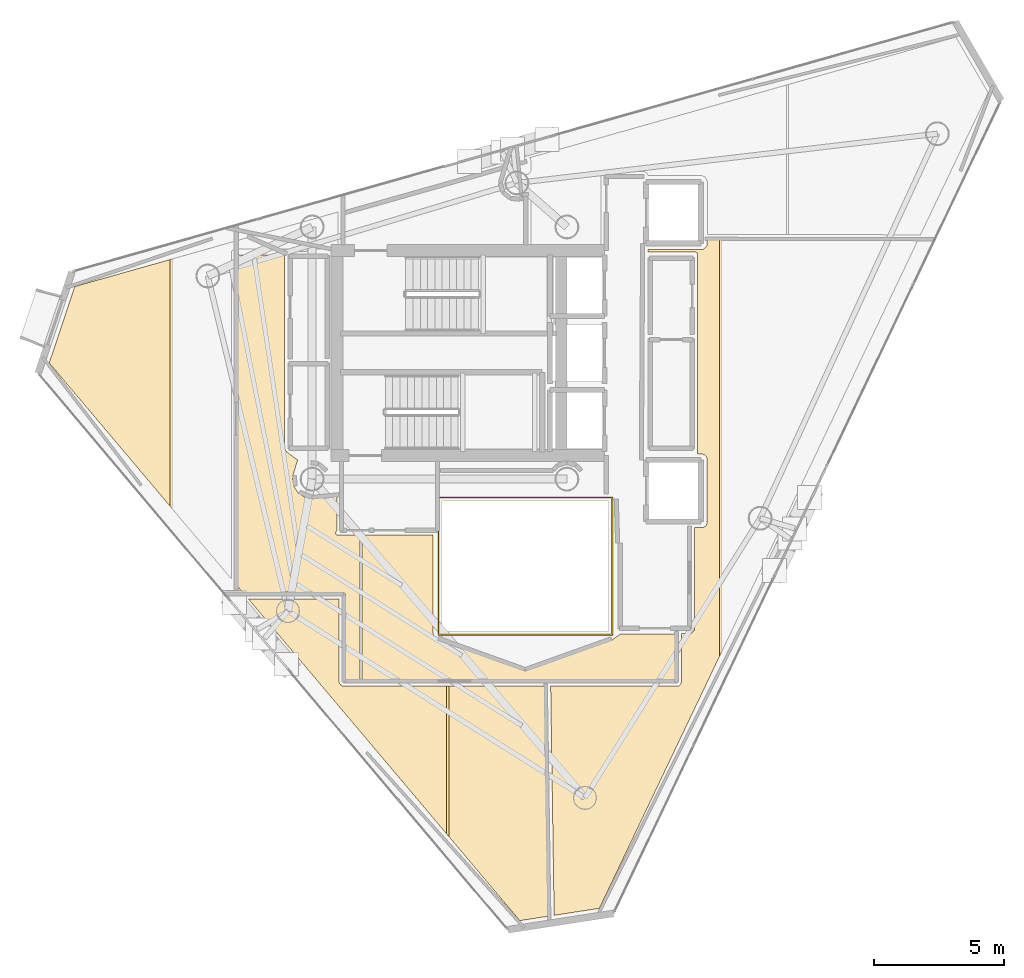
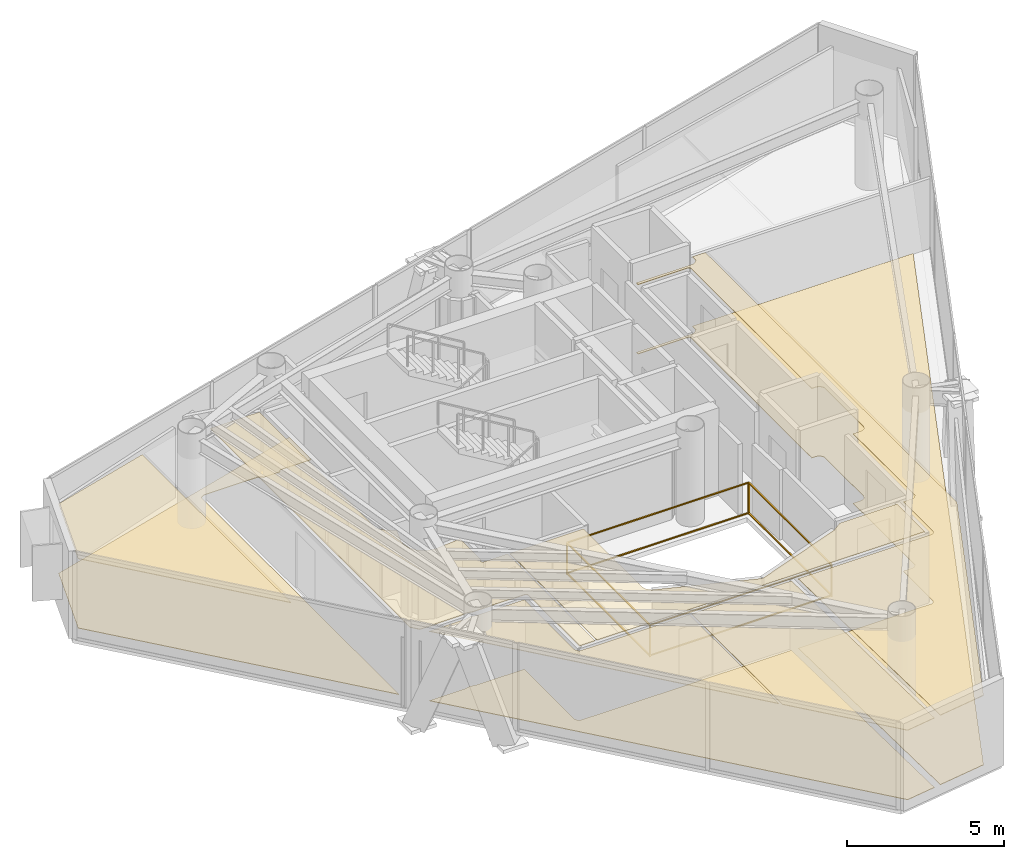
# One storey, part 19 of 20: 9 coverings, 1 railing.
"""IFC4 building model written with IfcOpenShell, lengths in metres."""

from ifc_helpers import new_model, si_unit, direction, frame, origin, origin_2d, place, context, subcontext, project, spatial, polyline, rectangle, outline, extrude, material, layer, layer_set, type_object, element, save


model = new_model("IFC4")

# Units and contexts
model_context = context("Model", 3, precision=1e-05, world=origin(), true_north=direction((0.0, 1.0)))
body_context = subcontext(model_context, "Body", "Model", "MODEL_VIEW")
ifc_project = project(units=[si_unit("LENGTHUNIT", "METRE"), si_unit("AREAUNIT", "SQUARE_METRE"), si_unit("VOLUMEUNIT", "CUBIC_METRE"), si_unit("PLANEANGLEUNIT", "RADIAN"), si_unit("MASSUNIT", "GRAM", prefix="KILO")], contexts=[model_context])

# Site, building, storey
site_placement = place(None, origin())
site = spatial("IfcSite", under=ifc_project, at=site_placement, CompositionType="ELEMENT")
building_placement = place(site_placement, origin())
building = spatial("IfcBuilding", under=site, at=building_placement, Name="Qianvela Tower", CompositionType="ELEMENT")
storey_placement = place(building_placement, frame((0.0, 0.0, 317.60009765625)))
storey = spatial("IfcBuildingStorey", under=building, at=storey_placement, Name="L82", CompositionType="ELEMENT", Elevation=317.60009765625)

# Coverings
ifc_material_1 = material(Name="Perforated Mineral Acoustic Ceiling Tile")
ifc_layer_1 = layer(ifc_material_1, 0.02490234375)
ifc_layer_set_1 = layer_set([ifc_layer_1], Name="Perforated Mineral Acoustic Ceiling Tile")
covering_type_1 = type_object("IfcCoveringType", Name="COV-CEIL-ACOUSTIC-25", PredefinedType="CEILING", material=ifc_layer_set_1)
covering_1_placement = place(storey_placement, frame((0.0, 0.0, 2.69482421875)))
element("IfcCovering", 1, at=covering_1_placement, inside=storey, type_object=covering_type_1, Name="L82 Acoustic Ceiling Bay 1 L82 Floor Corridor", PredefinedType="CEILING", context=body_context, shape_type="SweptSolid", body=[
    extrude(outline(polyline([(27.5400390625, 32.469970703125), (27.5400390625, 25.04638671875), (27.540283203125, 25.038818359375), (27.54150390625, 25.03125), (27.543212890625, 25.023681640625), (27.545654296875, 25.0166015625), (27.548828125, 25.009765625), (27.552734375, 25.003173828125), (27.61328125, 24.90869140625), (27.61767578125, 24.90283203125), (27.622314453125, 24.8974609375), (27.62744140625, 24.892333984375), (27.633056640625, 24.8876953125), (28.042236328125, 24.584228515625), (27.8662109375, 24.00390625), (27.864501953125, 23.996337890625), (27.86328125, 23.988525390625), (27.850341796875, 23.85791015625), (27.85009765625, 23.85009765625), (27.850341796875, 23.84228515625), (27.8515625, 23.83447265625), (27.902587890625, 23.577880859375), (27.904296875, 23.5703125), (27.906982421875, 23.56298828125), (27.910400390625, 23.555908203125), (27.91455078125, 23.54931640625), (28.059814453125, 23.331787109375), (28.064453125, 23.325439453125), (28.069580078125, 23.319580078125), (28.075439453125, 23.314453125), (28.081787109375, 23.309814453125), (28.29931640625, 23.16455078125), (28.305908203125, 23.160400390625), (28.31298828125, 23.156982421875), (28.3203125, 23.154296875), (28.327880859375, 23.152587890625), (28.58447265625, 23.1015625), (28.59228515625, 23.100341796875), (28.60009765625, 23.10009765625), (28.60791015625, 23.100341796875), (29.55810546875, 23.194091796875), (29.55810546875, 21.877685546875), (29.52001953125, 21.82958984375), (29.515380859375, 21.822998046875), (29.51171875, 21.81640625), (29.508544921875, 21.809326171875), (29.506103515625, 21.802001953125), (29.504150390625, 21.794189453125), (29.503173828125, 21.78662109375), (29.5029296875, 21.77880859375), (29.50341796875, 21.77099609375), (29.504638671875, 21.763427734375), (29.506591796875, 21.755859375), (29.50927734375, 21.74853515625), (29.5126953125, 21.74169921875), (29.516845703125, 21.735107421875), (29.521484375, 21.728759765625), (29.52685546875, 21.722900390625), (29.53271484375, 21.7177734375), (29.538818359375, 21.713134765625), (29.54541015625, 21.709228515625), (29.552490234375, 21.7060546875), (29.559814453125, 21.703369140625), (29.5673828125, 21.701416015625), (29.5751953125, 21.700439453125), (29.5830078125, 21.699951171875), (30.4453125, 21.699951171875), (30.4453125, 16.1298828125), (29.8798828125, 16.1298828125), (29.8798828125, 19.39990234375), (29.879638671875, 19.40771484375), (29.87841796875, 19.41552734375), (29.876708984375, 19.423095703125), (29.873779296875, 19.4306640625), (29.87060546875, 19.437744140625), (29.866455078125, 19.4443359375), (29.86181640625, 19.45068359375), (29.856689453125, 19.45654296875), (29.850830078125, 19.4619140625), (29.844482421875, 19.466552734375), (29.837646484375, 19.470703125), (29.83056640625, 19.473876953125), (29.8232421875, 19.4765625), (29.815673828125, 19.478515625), (29.807861328125, 19.4794921875), (29.800048828125, 19.47998046875), (27.910888671875, 19.47998046875), (27.684814453125, 19.522705078125), (27.677490234375, 19.523681640625), (27.669921875, 19.52392578125), (27.66259765625, 19.523681640625), (27.6552734375, 19.522705078125), (27.42919921875, 19.47998046875), (25.944091796875, 19.47998046875), (25.72998046875, 19.733642578125), (25.72998046875, 32.469970703125), (27.5400390625, 32.469970703125)])), origin(), (0.0, 0.0, 1.0), 0.025146484375),
])
covering_2_placement = place(storey_placement, frame((0.0, 0.0, 2.69482421875)))
element("IfcCovering", 2, at=covering_2_placement, inside=storey, type_object=covering_type_1, Name="L82 Acoustic Ceiling Bay 2 L82 Floor Corridor", PredefinedType="CEILING", context=body_context, shape_type="SweptSolid", body=[
    extrude(outline(polyline([(33.239990234375, 21.699951171875), (33.239990234375, 18.0), (33.240478515625, 17.990234375), (33.242431640625, 17.980712890625), (33.275390625, 17.8486328125), (33.277587890625, 17.841796875), (33.2802734375, 17.8349609375), (33.283447265625, 17.82861328125), (33.287353515625, 17.822509765625), (33.29150390625, 17.81689453125), (33.29638671875, 17.811279296875), (33.411376953125, 17.696533203125), (33.41796875, 17.690673828125), (33.42529296875, 17.685546875), (33.432861328125, 17.68115234375), (33.44091796875, 17.677734375), (36.77294921875, 16.482666015625), (36.780517578125, 16.48046875), (36.7880859375, 16.47900390625), (36.7958984375, 16.47802734375), (36.803955078125, 16.47802734375), (36.811767578125, 16.47900390625), (36.8193359375, 16.48046875), (36.826904296875, 16.482666015625), (40.134033203125, 17.666015625), (40.140869140625, 17.668701171875), (40.1474609375, 17.672119140625), (40.153564453125, 17.676025390625), (40.458740234375, 17.89306640625), (42.570068359375, 17.899658203125), (42.570068359375, 16.1298828125), (30.525146484375, 16.1298828125), (30.525146484375, 21.699951171875), (33.239990234375, 21.699951171875)])), origin(), (0.0, 0.0, 1.0), 0.025146484375),
])
covering_3_placement = place(storey_placement, frame((0.0, 0.0, 2.69482421875)))
element("IfcCovering", 3, at=covering_3_placement, inside=storey, type_object=covering_type_1, Name="L82 Acoustic Ceiling Bay 1 Tutorial Breakout Seminar L82-01", PredefinedType="CEILING", context=body_context, shape_type="SweptSolid", body=[
    extrude(outline(polyline([(26.146484375, 19.239990234375), (27.436767578125, 19.239990234375), (27.44384765625, 19.240234375), (27.450927734375, 19.2412109375), (27.669921875, 19.28125), (27.888916015625, 19.2412109375), (27.89599609375, 19.240234375), (27.9033203125, 19.239990234375), (29.639892578125, 19.239990234375), (29.639892578125, 16.050048828125), (29.640380859375, 16.042724609375), (29.641357421875, 16.035400390625), (29.64306640625, 16.0283203125), (29.645263671875, 16.021484375), (29.648193359375, 16.014892578125), (29.651611328125, 16.00830078125), (29.65576171875, 16.002197265625), (29.71240234375, 15.92578125), (29.7177734375, 15.91943359375), (29.7236328125, 15.91357421875), (29.730224609375, 15.908447265625), (29.737060546875, 15.904052734375), (29.744384765625, 15.900146484375), (29.752197265625, 15.897216796875), (29.76025390625, 15.895263671875), (29.7685546875, 15.893798828125), (29.776611328125, 15.893310546875), (33.777587890625, 15.8916015625), (33.777587890625, 10.197265625), (26.146484375, 19.239990234375)])), origin(), (0.0, 0.0, 1.0), 0.025146484375),
])
covering_4_placement = place(storey_placement, frame((0.0, 0.0, 2.69482421875)))
element("IfcCovering", 4, at=covering_4_placement, inside=storey, type_object=covering_type_1, Name="L82 Acoustic Ceiling Bay 2 Tutorial Breakout Seminar L82-01", PredefinedType="CEILING", context=body_context, shape_type="SweptSolid", body=[
    extrude(outline(polyline([(36.588134765625, 6.86669921875), (33.857666015625, 10.102294921875), (33.857666015625, 15.8916015625), (37.53125, 15.889892578125), (37.665283203125, 7.032958984375), (36.588134765625, 6.86669921875)])), origin(), (0.0, 0.0, 1.0), 0.025146484375),
])
covering_5_placement = place(storey_placement, frame((0.0, 0.0, 2.69482421875)))
element("IfcCovering", 5, at=covering_5_placement, inside=storey, type_object=covering_type_1, Name="L82 Acoustic Ceiling Bay 1 Project Huddle Conference L82-02", PredefinedType="CEILING", context=body_context, shape_type="SweptSolid", body=[
    extrude(outline(polyline([(42.6806640625, 15.89599609375), (42.6884765625, 15.896484375), (42.6962890625, 15.897705078125), (42.703857421875, 15.899658203125), (42.711181640625, 15.902099609375), (42.718505859375, 15.905517578125), (42.72509765625, 15.90966796875), (42.7314453125, 15.914306640625), (42.7373046875, 15.91943359375), (42.742431640625, 15.92529296875), (42.7470703125, 15.931640625), (42.79638671875, 16.005615234375), (42.800537109375, 16.01220703125), (42.803955078125, 16.019287109375), (42.806640625, 16.02685546875), (42.80859375, 16.034423828125), (42.8095703125, 16.042236328125), (42.81005859375, 16.050048828125), (42.8076171875, 17.920166015625), (43.157958984375, 17.92041015625), (43.165771484375, 17.9208984375), (43.173583984375, 17.921875), (43.18115234375, 17.923828125), (43.1884765625, 17.926513671875), (43.195556640625, 17.9296875), (43.202392578125, 17.933837890625), (43.20849609375, 17.938720703125), (43.21435546875, 17.94384765625), (43.2861328125, 18.015625), (43.29150390625, 18.021484375), (43.296142578125, 18.027587890625), (43.30029296875, 18.034423828125), (43.303466796875, 18.04150390625), (43.30615234375, 18.048828125), (43.30810546875, 18.056640625), (43.30908203125, 18.064208984375), (43.3095703125, 18.072265625), (43.309326171875, 21.980712890625), (43.60791015625, 21.982666015625), (43.615478515625, 21.983154296875), (43.623291015625, 21.984375), (43.630859375, 21.986083984375), (43.637939453125, 21.98876953125), (43.64501953125, 21.9921875), (43.716796875, 22.030517578125), (43.723388671875, 22.034423828125), (43.729736328125, 22.039306640625), (43.735595703125, 22.04443359375), (43.74072265625, 22.05029296875), (43.74560546875, 22.056640625), (43.74951171875, 22.063232421875), (43.787841796875, 22.135009765625), (43.791259765625, 22.14208984375), (43.7939453125, 22.1494140625), (43.7958984375, 22.156982421875), (43.796875, 22.164794921875), (43.79736328125, 22.1728515625), (43.7939453125, 24.640625), (43.79345703125, 24.649169921875), (43.792236328125, 24.65771484375), (43.789794921875, 24.665771484375), (43.786865234375, 24.673583984375), (43.782958984375, 24.68115234375), (43.7783203125, 24.688232421875), (43.721923828125, 24.76416015625), (43.71728515625, 24.769775390625), (43.71240234375, 24.77490234375), (43.706787109375, 24.779541015625), (43.70068359375, 24.78369140625), (43.694580078125, 24.78759765625), (43.68798828125, 24.79052734375), (43.680908203125, 24.79296875), (43.603271484375, 24.816650390625), (43.595703125, 24.818603515625), (43.587890625, 24.819580078125), (43.580078125, 24.820068359375), (43.424072265625, 24.820068359375), (43.426513671875, 24.826904296875), (43.428466796875, 24.83447265625), (43.4296875, 24.84228515625), (43.429931640625, 24.85009765625), (43.429931640625, 32.5), (43.4296875, 32.5078125), (43.428466796875, 32.515625), (43.426513671875, 32.523193359375), (43.423828125, 32.530517578125), (43.420654296875, 32.53759765625), (43.41650390625, 32.54443359375), (43.411865234375, 32.55078125), (43.406494140625, 32.556640625), (43.40087890625, 32.561767578125), (43.394287109375, 32.56640625), (43.3876953125, 32.570556640625), (43.380615234375, 32.573974609375), (43.373291015625, 32.57666015625), (43.365478515625, 32.57861328125), (43.35791015625, 32.57958984375), (43.35009765625, 32.580078125), (41.52001953125, 32.580078125), (41.52001953125, 32.68017578125), (43.607421875, 32.6826171875), (43.61572265625, 32.68310546875), (43.6240234375, 32.6845703125), (43.632080078125, 32.686767578125), (43.639892578125, 32.689697265625), (43.6474609375, 32.693603515625), (43.654541015625, 32.697998046875), (43.660888671875, 32.703369140625), (43.767578125, 32.800048828125), (43.7734375, 32.805908203125), (43.778564453125, 32.81201171875), (43.782958984375, 32.81884765625), (43.78662109375, 32.826171875), (43.789794921875, 32.833740234375), (43.7919921875, 32.841552734375), (43.79345703125, 32.849609375), (43.7939453125, 32.857666015625), (43.798095703125, 33.046875), (44.266357421875, 33.0458984375), (44.266357421875, 17.0244140625), (39.6494140625, 7.339111328125), (37.90869140625, 7.0703125), (37.775146484375, 15.89013671875), (42.6806640625, 15.89599609375)])), origin(), (0.0, 0.0, 1.0), 0.025146484375),
])
covering_6_placement = place(storey_placement, frame((0.0, 0.0, 2.69482421875)))
element("IfcCovering", 6, at=covering_6_placement, inside=storey, type_object=covering_type_1, Name="L82 Acoustic Ceiling Bay 1 Social Sitting Lounge L82-03", PredefinedType="CEILING", context=body_context, shape_type="SweptSolid", body=[
    extrude(outline(polyline([(18.485595703125, 28.318359375), (19.466064453125, 31.256591796875), (23.133056640625, 32.294677734375), (23.133056640625, 22.811279296875), (18.485595703125, 28.318359375)])), origin(), (0.0, 0.0, 1.0), 0.025146484375),
])
ifc_material_2 = material(Name="Engineered Acoustic Oak Timber Flooring", Category="wood")
ifc_layer_2 = layer(ifc_material_2, 0.02001953125)
ifc_layer_set_2 = layer_set([ifc_layer_2], Name="Engineered Acoustic Oak Timber Flooring")
covering_type_2 = type_object("IfcCoveringType", Name="COV-FLOOR-OAK-20", PredefinedType="FLOORING", material=ifc_layer_set_2)
covering_7_placement = place(storey_placement, origin())
element("IfcCovering", 7, at=covering_7_placement, inside=storey, type_object=covering_type_2, Name="L82 Finish Flooring Tutorial Breakout Seminar L82-01", PredefinedType="FLOORING", context=body_context, shape_type="SweptSolid", body=[
    extrude(outline(polyline([(37.665283203125, 7.032958984375), (36.588134765625, 6.86669921875), (26.146484375, 19.239990234375), (27.436767578125, 19.239990234375), (27.44384765625, 19.240234375), (27.450927734375, 19.2412109375), (27.669921875, 19.28125), (27.888916015625, 19.2412109375), (27.89599609375, 19.240234375), (27.9033203125, 19.239990234375), (29.639892578125, 19.239990234375), (29.639892578125, 16.050048828125), (29.640380859375, 16.042724609375), (29.641357421875, 16.035400390625), (29.64306640625, 16.0283203125), (29.645263671875, 16.021484375), (29.648193359375, 16.014892578125), (29.651611328125, 16.00830078125), (29.65576171875, 16.002197265625), (29.71240234375, 15.92578125), (29.7177734375, 15.91943359375), (29.7236328125, 15.91357421875), (29.730224609375, 15.908447265625), (29.737060546875, 15.904052734375), (29.744384765625, 15.900146484375), (29.752197265625, 15.897216796875), (29.76025390625, 15.895263671875), (29.7685546875, 15.893798828125), (29.776611328125, 15.893310546875), (37.53125, 15.889892578125), (37.665283203125, 7.032958984375)])), origin(), (0.0, 0.0, 1.0), 0.02001953125),
])
covering_8_placement = place(storey_placement, origin())
element("IfcCovering", 8, at=covering_8_placement, inside=storey, type_object=covering_type_2, Name="L82 Finish Flooring Project Huddle Conference L82-02", PredefinedType="FLOORING", context=body_context, shape_type="SweptSolid", body=[
    extrude(outline(polyline([(37.775146484375, 15.89013671875), (42.6806640625, 15.89599609375), (42.6884765625, 15.896484375), (42.6962890625, 15.897705078125), (42.703857421875, 15.899658203125), (42.711181640625, 15.902099609375), (42.718505859375, 15.905517578125), (42.72509765625, 15.90966796875), (42.7314453125, 15.914306640625), (42.7373046875, 15.91943359375), (42.742431640625, 15.92529296875), (42.7470703125, 15.931640625), (42.79638671875, 16.005615234375), (42.800537109375, 16.01220703125), (42.803955078125, 16.019287109375), (42.806640625, 16.02685546875), (42.80859375, 16.034423828125), (42.8095703125, 16.042236328125), (42.81005859375, 16.050048828125), (42.8076171875, 17.920166015625), (43.157958984375, 17.92041015625), (43.165771484375, 17.9208984375), (43.173583984375, 17.921875), (43.18115234375, 17.923828125), (43.1884765625, 17.926513671875), (43.195556640625, 17.9296875), (43.202392578125, 17.933837890625), (43.20849609375, 17.938720703125), (43.21435546875, 17.94384765625), (43.2861328125, 18.015625), (43.29150390625, 18.021484375), (43.296142578125, 18.027587890625), (43.30029296875, 18.034423828125), (43.303466796875, 18.04150390625), (43.30615234375, 18.048828125), (43.30810546875, 18.056640625), (43.30908203125, 18.064208984375), (43.3095703125, 18.072265625), (43.309326171875, 21.980712890625), (43.60791015625, 21.982666015625), (43.615478515625, 21.983154296875), (43.623291015625, 21.984375), (43.630859375, 21.986083984375), (43.637939453125, 21.98876953125), (43.64501953125, 21.9921875), (43.716796875, 22.030517578125), (43.723388671875, 22.034423828125), (43.729736328125, 22.039306640625), (43.735595703125, 22.04443359375), (43.74072265625, 22.05029296875), (43.74560546875, 22.056640625), (43.74951171875, 22.063232421875), (43.787841796875, 22.135009765625), (43.791259765625, 22.14208984375), (43.7939453125, 22.1494140625), (43.7958984375, 22.156982421875), (43.796875, 22.164794921875), (43.79736328125, 22.1728515625), (43.7939453125, 24.640625), (43.79345703125, 24.649169921875), (43.792236328125, 24.65771484375), (43.789794921875, 24.665771484375), (43.786865234375, 24.673583984375), (43.782958984375, 24.68115234375), (43.7783203125, 24.688232421875), (43.721923828125, 24.76416015625), (43.71728515625, 24.769775390625), (43.71240234375, 24.77490234375), (43.706787109375, 24.779541015625), (43.70068359375, 24.78369140625), (43.694580078125, 24.78759765625), (43.68798828125, 24.79052734375), (43.680908203125, 24.79296875), (43.603271484375, 24.816650390625), (43.595703125, 24.818603515625), (43.587890625, 24.819580078125), (43.580078125, 24.820068359375), (43.424072265625, 24.820068359375), (43.426513671875, 24.826904296875), (43.428466796875, 24.83447265625), (43.4296875, 24.84228515625), (43.429931640625, 24.85009765625), (43.429931640625, 32.5), (43.4296875, 32.5078125), (43.428466796875, 32.515625), (43.426513671875, 32.523193359375), (43.423828125, 32.530517578125), (43.420654296875, 32.53759765625), (43.41650390625, 32.54443359375), (43.411865234375, 32.55078125), (43.406494140625, 32.556640625), (43.40087890625, 32.561767578125), (43.394287109375, 32.56640625), (43.3876953125, 32.570556640625), (43.380615234375, 32.573974609375), (43.373291015625, 32.57666015625), (43.365478515625, 32.57861328125), (43.35791015625, 32.57958984375), (43.35009765625, 32.580078125), (41.52001953125, 32.580078125), (41.52001953125, 32.68017578125), (43.607421875, 32.6826171875), (43.61572265625, 32.68310546875), (43.6240234375, 32.6845703125), (43.632080078125, 32.686767578125), (43.639892578125, 32.689697265625), (43.6474609375, 32.693603515625), (43.654541015625, 32.697998046875), (43.660888671875, 32.703369140625), (43.767578125, 32.800048828125), (43.7734375, 32.805908203125), (43.778564453125, 32.81201171875), (43.782958984375, 32.81884765625), (43.78662109375, 32.826171875), (43.789794921875, 32.833740234375), (43.7919921875, 32.841552734375), (43.79345703125, 32.849609375), (43.7939453125, 32.857666015625), (43.798095703125, 33.046875), (51.89599609375, 33.02978515625), (39.6494140625, 7.339111328125), (37.90869140625, 7.0703125), (37.775146484375, 15.89013671875)])), origin(), (0.0, 0.0, 1.0), 0.02001953125),
])
covering_9_placement = place(storey_placement, origin())
element("IfcCovering", 9, at=covering_9_placement, inside=storey, type_object=covering_type_2, Name="L82 Finish Flooring Social Sitting Lounge L82-03", PredefinedType="FLOORING", context=body_context, shape_type="SweptSolid", body=[
    extrude(outline(polyline([(29.59619140625, 34.12451171875), (29.603515625, 34.115966796875), (29.59033203125, 32.7275390625), (29.552978515625, 32.7001953125), (28.54296875, 32.709716796875), (28.53662109375, 32.70947265625), (28.530029296875, 32.708740234375), (28.4677734375, 32.69921875), (28.460205078125, 32.697509765625), (28.452880859375, 32.6953125), (28.446044921875, 32.6923828125), (28.439208984375, 32.688720703125), (28.432861328125, 32.6845703125), (28.427001953125, 32.6796875), (28.42138671875, 32.674560546875), (28.41650390625, 32.668701171875), (28.412109375, 32.662353515625), (28.408447265625, 32.65576171875), (28.405517578125, 32.648681640625), (28.403076171875, 32.6416015625), (28.4013671875, 32.634033203125), (28.400390625, 32.62646484375), (28.39892578125, 32.609619140625), (27.7626953125, 32.607666015625), (27.759521484375, 32.6201171875), (27.757080078125, 32.62744140625), (27.754150390625, 32.634765625), (27.75048828125, 32.6416015625), (27.74609375, 32.648193359375), (27.7412109375, 32.654296875), (27.735595703125, 32.659912109375), (27.7294921875, 32.6650390625), (27.722900390625, 32.66943359375), (27.716064453125, 32.673095703125), (27.654296875, 32.702392578125), (27.647705078125, 32.705078125), (27.64111328125, 32.707275390625), (27.634033203125, 32.708740234375), (27.627197265625, 32.709716796875), (27.6201171875, 32.7099609375), (25.64990234375, 32.7099609375), (25.642578125, 32.709716796875), (25.635498046875, 32.708740234375), (25.62841796875, 32.70703125), (25.62158203125, 32.70458984375), (25.61474609375, 32.701904296875), (25.6083984375, 32.6982421875), (25.602294921875, 32.6943359375), (25.52587890625, 32.637451171875), (25.519287109375, 32.632080078125), (25.513671875, 32.626220703125), (25.50830078125, 32.619873046875), (25.50390625, 32.61279296875), (25.500244140625, 32.60546875), (25.497314453125, 32.59765625), (25.4951171875, 32.589599609375), (25.493896484375, 32.58154296875), (25.493408203125, 32.5732421875), (25.489990234375, 20.01806640625), (18.485595703125, 28.318359375), (19.466064453125, 31.256591796875), (29.59619140625, 34.12451171875)])), origin(), (0.0, 0.0, 1.0), 0.02001953125),
])

# Railing
ifc_material_3 = material(Name="Laminated Safety Glass and Stainless Steel 316", Category="steel")
railing_type = type_object("IfcRailingType", Name="RL-ATRIUM-GUARD-1250", PredefinedType="GUARDRAIL", material=ifc_material_3)
railing_placement = place(storey_placement, frame((33.4599609375, 17.860107421875, 0.0)))
element("IfcRailing", 10, at=railing_placement, inside=storey, type_object=railing_type, Name="L82 Atrium Edge Guardrail 1", PredefinedType="GUARDRAIL", context=body_context, shape_type="SweptSolid", body=[
    extrude(rectangle(XDim=0.050048828125, YDim=0.0400390625, at=origin_2d()), frame((0.0, 0.0, 1.22998046875), z_axis=(0.0, 1.0, 0.0), x_axis=(-1.0, 0.0, 0.0)), (0.0, 0.0, 1.0), 5.27978515625),
    extrude(rectangle(XDim=0.050048828125, YDim=0.0400390625, at=origin_2d()), frame((0.0, 0.0, 0.050048828125), z_axis=(0.0, 1.0, 0.0), x_axis=(-1.0, 0.0, 0.0)), (0.0, 0.0, 1.0), 5.27978515625),
    extrude(rectangle(XDim=0.050048828125, YDim=0.0400390625, at=origin_2d()), frame((0.0, 5.27978515625, 1.22998046875), z_axis=(1.0, 0.0, 0.0), x_axis=(0.0, 1.0, 0.0)), (0.0, 0.0, 1.0), 6.679931640625),
    extrude(rectangle(XDim=0.050048828125, YDim=0.0400390625, at=origin_2d()), frame((0.0, 5.27978515625, 0.050048828125), z_axis=(1.0, 0.0, 0.0), x_axis=(0.0, 1.0, 0.0)), (0.0, 0.0, 1.0), 6.679931640625),
    extrude(rectangle(XDim=0.050048828125, YDim=0.0400390625, at=origin_2d()), frame((6.679931640625, 5.27978515625, 1.22998046875), z_axis=(0.0, -1.0, 0.0), x_axis=(1.0, 0.0, 0.0)), (0.0, 0.0, 1.0), 5.27978515625),
    extrude(rectangle(XDim=0.050048828125, YDim=0.0400390625, at=origin_2d()), frame((6.679931640625, 5.27978515625, 0.050048828125), z_axis=(0.0, -1.0, 0.0), x_axis=(1.0, 0.0, 0.0)), (0.0, 0.0, 1.0), 5.27978515625),
    extrude(rectangle(XDim=0.050048828125, YDim=0.0400390625, at=origin_2d()), frame((6.679931640625, 0.0, 1.22998046875), z_axis=(-1.0, 0.0, 0.0), x_axis=(0.0, -1.0, 0.0)), (0.0, 0.0, 1.0), 6.679931640625),
    extrude(rectangle(XDim=0.050048828125, YDim=0.0400390625, at=origin_2d()), frame((6.679931640625, 0.0, 0.050048828125), z_axis=(-1.0, 0.0, 0.0), x_axis=(0.0, -1.0, 0.0)), (0.0, 0.0, 1.0), 6.679931640625),
    extrude(rectangle(XDim=0.050048828125, YDim=0.050048828125, at=origin_2d()), origin(), (0.0, 0.0, 1.0), 1.2099609375),
    extrude(rectangle(XDim=0.050048828125, YDim=0.050048828125, at=origin_2d()), frame((0.0, 5.27978515625, 0.0)), (0.0, 0.0, 1.0), 1.2099609375),
    extrude(rectangle(XDim=0.050048828125, YDim=0.050048828125, at=origin_2d()), frame((6.679931640625, 5.27978515625, 0.0)), (0.0, 0.0, 1.0), 1.2099609375),
    extrude(rectangle(XDim=0.050048828125, YDim=0.050048828125, at=origin_2d()), frame((6.679931640625, 0.0, 0.0)), (0.0, 0.0, 1.0), 1.2099609375),
])

save(model, "model.ifc")
